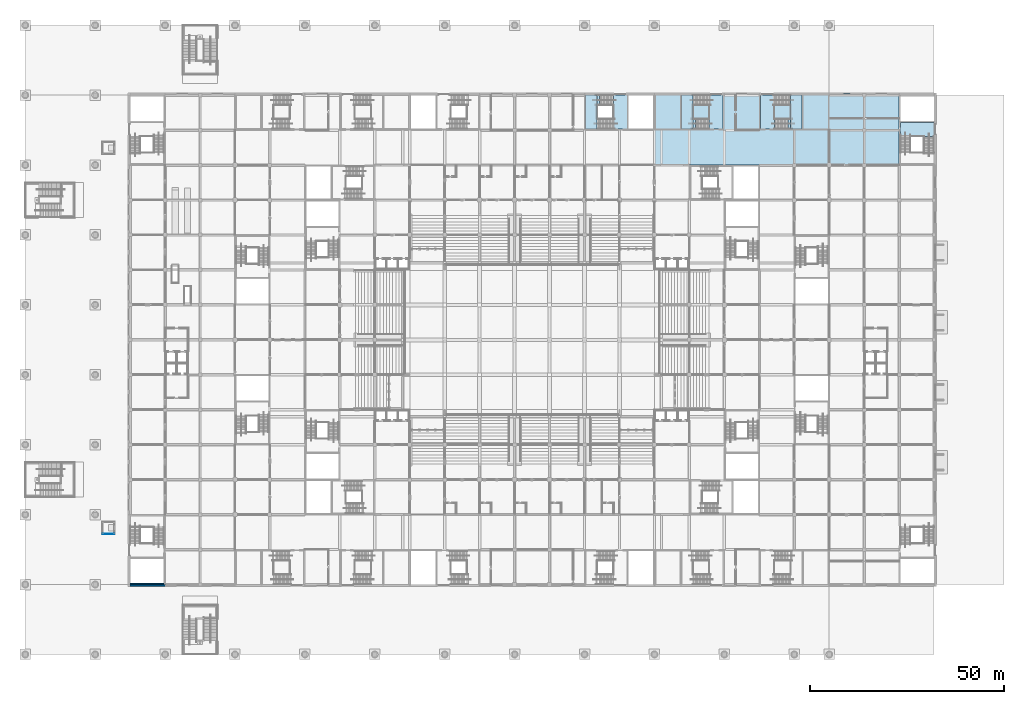
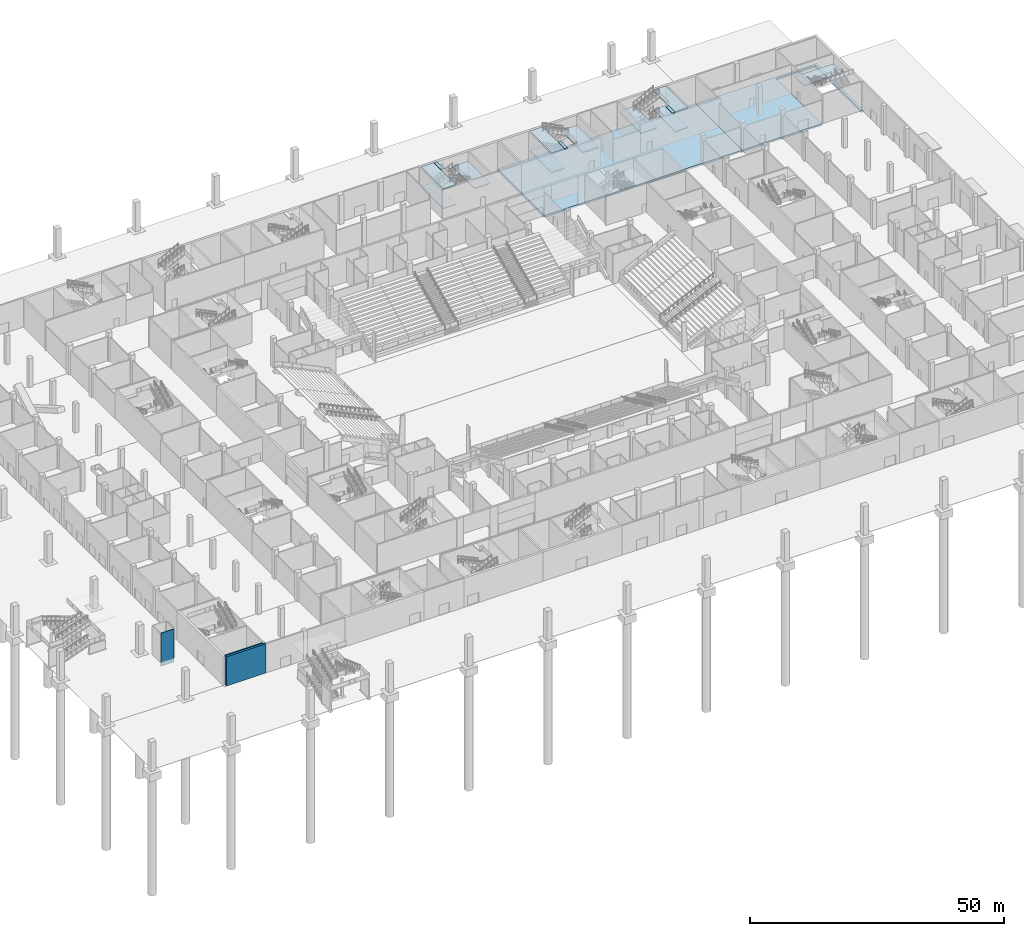
# One storey, part 21 of 92: 15 slabs, 3 walls, 4 elements without a shape of their own.
"""IFC4 building model written with IfcOpenShell, lengths in metres."""

from ifc_helpers import new_model, si_unit, direction, frame, frame_2d, origin, place, context, subcontext, project, spatial, polyline, rectangle, outline, extrude, material, layer, layer_set, type_object, element, aggregate, save


model = new_model("IFC4")

# Units and contexts
model_context = context("Model", 3, precision=1e-05, world=origin(), true_north=direction((0.0, 1.0)))
body_context = subcontext(model_context, "Body", "Model", "MODEL_VIEW")
ifc_project = project(units=[si_unit("LENGTHUNIT", "METRE"), si_unit("AREAUNIT", "SQUARE_METRE"), si_unit("VOLUMEUNIT", "CUBIC_METRE"), si_unit("PLANEANGLEUNIT", "RADIAN"), si_unit("MASSUNIT", "GRAM", prefix="KILO")], contexts=[model_context])

# Site, building, storey
site_placement = place(None, origin())
site = spatial("IfcSite", under=ifc_project, at=site_placement, CompositionType="ELEMENT")
building_placement = place(site_placement, origin())
building = spatial("IfcBuilding", under=site, at=building_placement, Name="Silverbay Arena", CompositionType="ELEMENT")
storey_placement = place(building_placement, origin())
storey = spatial("IfcBuildingStorey", under=building, at=storey_placement, Name="L00", CompositionType="ELEMENT", Elevation=0.0)

# Slabs
ifc_material_1 = material(Name="Concrete Grade C45", Category="concrete")
ifc_layer_1 = layer(ifc_material_1, 0.449951171875)
ifc_layer_set_1 = layer_set([ifc_layer_1], Name="Concrete Grade C45")
slab_type_1 = type_object("IfcSlabType", Name="RC floor slab 450", PredefinedType="FLOOR", material=ifc_layer_set_1)
slab_1_placement = place(storey_placement, frame((0.0, 0.0, -0.449951171875)))
element("IfcSlab", 1, at=slab_1_placement, inside=storey, type_object=slab_type_1, Name="Floor slab L00 unit 24", PredefinedType="FLOOR", context=body_context, shape_type="SweptSolid", body=[
    extrude(outline(polyline([(162.0, 126.02490234375), (162.0, 144.5), (207.0, 144.5), (207.0, 126.02490234375), (162.0, 126.02490234375)])), origin(), (0.0, 0.0, 1.0), 0.449951171875),
])
slab_2_placement = place(storey_placement, frame((0.0, 0.0, -0.449951171875)))
element("IfcSlab", 2, at=slab_2_placement, inside=storey, type_object=slab_type_1, Name="Floor slab L00 unit 25", PredefinedType="FLOOR", context=body_context, shape_type="SweptSolid", body=[
    extrude(outline(polyline([(234.0, 126.02490234375), (234.0, 144.0), (225.0, 144.0), (225.0, 126.02490234375), (207.0, 126.02490234375), (207.0, 144.5), (234.5, 144.5), (234.5, 126.02490234375), (234.0, 126.02490234375)])), origin(), (0.0, 0.0, 1.0), 0.449951171875),
])

# Stair, slab
ifc_material_2 = material(Name="Concrete Grade C45", Category="concrete")
stair_type = type_object("IfcStairType", Name="Stair 2600 wide 48 risers 145.8 x 300", PredefinedType="HALF_TURN_STAIR", material=ifc_material_2)
stair_1_placement = place(storey_placement, origin())
stair_1 = element("IfcStair", 3, at=stair_1_placement, inside=storey, type_object=stair_type, Name="Stair ST-N3 L00 to L01", PredefinedType="HALF_TURN_STAIR")
ifc_material_3 = material(Name="Concrete Grade C45", Category="concrete")
ifc_layer_2 = layer(ifc_material_3, 0.25)
ifc_layer_set_2 = layer_set([ifc_layer_2], Name="Concrete Grade C45")
slab_type_2 = type_object("IfcSlabType", Name="Stair arrival platform RC 250", PredefinedType="FLOOR", material=ifc_layer_set_2)
slab_3_placement = place(storey_placement, frame((0.0, 0.0, 6.75)))
slab_3 = element("IfcSlab", 4, at=slab_3_placement, type_object=slab_type_2, Name="Stair ST-N3 L00 to L01 arrival platform 4", PredefinedType="FLOOR", context=body_context, shape_type="SweptSolid", body=[
    extrude(outline(polyline([(147.89990234375, 141.39990234375), (147.2431640625, 141.39990234375), (147.2431640625, 144.0), (147.89990234375, 144.0), (147.89990234375, 141.39990234375)])), origin(), (0.0, 0.0, 1.0), 0.25),
])

stair_2_placement = place(storey_placement, origin())
stair_2 = element("IfcStair", 5, at=stair_2_placement, inside=storey, type_object=stair_type, Name="Stair ST-N4 L00 to L01", PredefinedType="HALF_TURN_STAIR")
slab_4_placement = place(storey_placement, frame((0.0, 0.0, 6.75)))
slab_4 = element("IfcSlab", 6, at=slab_4_placement, type_object=slab_type_2, Name="Stair ST-N4 L00 to L01 arrival platform 4", PredefinedType="FLOOR", context=body_context, shape_type="SweptSolid", body=[
    extrude(outline(polyline([(172.60009765625, 135.300048828125), (171.943115234375, 135.300048828125), (171.943115234375, 137.89990234375), (172.60009765625, 137.89990234375), (172.60009765625, 135.300048828125)])), origin(), (0.0, 0.0, 1.0), 0.25),
])

stair_3_placement = place(storey_placement, origin())
stair_3 = element("IfcStair", 7, at=stair_3_placement, inside=storey, type_object=stair_type, Name="Stair ST-N6 L00 to L01", PredefinedType="HALF_TURN_STAIR")
slab_5_placement = place(storey_placement, frame((0.0, 0.0, 6.75)))
slab_5 = element("IfcSlab", 8, at=slab_5_placement, type_object=slab_type_2, Name="Stair ST-N6 L00 to L01 arrival platform 4", PredefinedType="FLOOR", context=body_context, shape_type="SweptSolid", body=[
    extrude(outline(polyline([(196.39990234375, 135.300048828125), (197.056884765625, 135.300048828125), (197.056884765625, 137.89990234375), (196.39990234375, 137.89990234375), (196.39990234375, 135.300048828125)])), origin(), (0.0, 0.0, 1.0), 0.25),
])

# Slab
ifc_material_4 = material(Name="Concrete Grade C45", Category="concrete")
ifc_layer_3 = layer(ifc_material_4, 0.25)
ifc_layer_set_3 = layer_set([ifc_layer_3], Name="Concrete Grade C45")
slab_type_3 = type_object("IfcSlabType", Name="Stair landing RC 250", PredefinedType="LANDING", material=ifc_layer_set_3)
slab_6_placement = place(storey_placement, frame((0.0, 0.0, 2.083251953125)))
slab_6 = element("IfcSlab", 9, at=slab_6_placement, type_object=slab_type_3, Name="Stair ST-N3 L00 to L01 landing 1", PredefinedType="LANDING", context=body_context, shape_type="SweptSolid", body=[
    extrude(outline(polyline([(147.2431640625, 135.300048828125), (144.300048828125, 135.300048828125), (144.300048828125, 144.0), (147.2431640625, 144.0), (147.2431640625, 135.300048828125)])), origin(), (0.0, 0.0, 1.0), 0.25),
])

slab_7_placement = place(storey_placement, frame((0.0, 0.0, 4.416748046875)))
slab_7 = element("IfcSlab", 10, at=slab_7_placement, type_object=slab_type_3, Name="Stair ST-N3 L00 to L01 landing 2", PredefinedType="LANDING", context=body_context, shape_type="SweptSolid", body=[
    extrude(outline(polyline([(155.0, 135.300048828125), (151.39990234375, 135.300048828125), (151.39990234375, 144.0), (155.0, 144.0), (155.0, 135.300048828125)])), origin(), (0.0, 0.0, 1.0), 0.25),
])

slab_8_placement = place(storey_placement, frame((0.0, 0.0, 6.75)))
slab_8 = element("IfcSlab", 11, at=slab_8_placement, type_object=slab_type_3, Name="Stair ST-N3 L00 to L01 landing 3", PredefinedType="LANDING", context=body_context, shape_type="SweptSolid", body=[
    extrude(outline(polyline([(147.2431640625, 135.300048828125), (144.300048828125, 135.300048828125), (144.300048828125, 144.0), (147.2431640625, 144.0), (147.2431640625, 135.300048828125)])), origin(), (0.0, 0.0, 1.0), 0.25),
])

aggregate(stair_1, [slab_6, slab_7, slab_8, slab_3])

slab_9_placement = place(storey_placement, frame((0.0, 0.0, 2.083251953125)))
slab_9 = element("IfcSlab", 12, at=slab_9_placement, type_object=slab_type_3, Name="Stair ST-N4 L00 to L01 landing 1", PredefinedType="LANDING", context=body_context, shape_type="SweptSolid", body=[
    extrude(outline(polyline([(171.943115234375, 135.300048828125), (169.0, 135.300048828125), (169.0, 144.0), (171.943115234375, 144.0), (171.943115234375, 135.300048828125)])), origin(), (0.0, 0.0, 1.0), 0.25),
])

slab_10_placement = place(storey_placement, frame((0.0, 0.0, 4.416748046875)))
slab_10 = element("IfcSlab", 13, at=slab_10_placement, type_object=slab_type_3, Name="Stair ST-N4 L00 to L01 landing 2", PredefinedType="LANDING", context=body_context, shape_type="SweptSolid", body=[
    extrude(outline(polyline([(179.699951171875, 135.300048828125), (176.10009765625, 135.300048828125), (176.10009765625, 144.0), (179.699951171875, 144.0), (179.699951171875, 135.300048828125)])), origin(), (0.0, 0.0, 1.0), 0.25),
])

slab_11_placement = place(storey_placement, frame((0.0, 0.0, 6.75)))
slab_11 = element("IfcSlab", 14, at=slab_11_placement, type_object=slab_type_3, Name="Stair ST-N4 L00 to L01 landing 3", PredefinedType="LANDING", context=body_context, shape_type="SweptSolid", body=[
    extrude(outline(polyline([(171.943115234375, 135.300048828125), (169.0, 135.300048828125), (169.0, 144.0), (171.943115234375, 144.0), (171.943115234375, 135.300048828125)])), origin(), (0.0, 0.0, 1.0), 0.25),
])

aggregate(stair_2, [slab_9, slab_10, slab_11, slab_4])

slab_12_placement = place(storey_placement, frame((0.0, 0.0, 2.083251953125)))
slab_12 = element("IfcSlab", 15, at=slab_12_placement, type_object=slab_type_3, Name="Stair ST-N6 L00 to L01 landing 1", PredefinedType="LANDING", context=body_context, shape_type="SweptSolid", body=[
    extrude(outline(polyline([(197.056884765625, 135.300048828125), (200.0, 135.300048828125), (200.0, 144.0), (197.056884765625, 144.0), (197.056884765625, 135.300048828125)])), origin(), (0.0, 0.0, 1.0), 0.25),
])

slab_13_placement = place(storey_placement, frame((0.0, 0.0, 4.416748046875)))
slab_13 = element("IfcSlab", 16, at=slab_13_placement, type_object=slab_type_3, Name="Stair ST-N6 L00 to L01 landing 2", PredefinedType="LANDING", context=body_context, shape_type="SweptSolid", body=[
    extrude(outline(polyline([(189.300048828125, 135.300048828125), (192.89990234375, 135.300048828125), (192.89990234375, 144.0), (189.300048828125, 144.0), (189.300048828125, 135.300048828125)])), origin(), (0.0, 0.0, 1.0), 0.25),
])

slab_14_placement = place(storey_placement, frame((0.0, 0.0, 6.75)))
slab_14 = element("IfcSlab", 17, at=slab_14_placement, type_object=slab_type_3, Name="Stair ST-N6 L00 to L01 landing 3", PredefinedType="LANDING", context=body_context, shape_type="SweptSolid", body=[
    extrude(outline(polyline([(197.056884765625, 135.300048828125), (200.0, 135.300048828125), (200.0, 144.0), (197.056884765625, 144.0), (197.056884765625, 135.300048828125)])), origin(), (0.0, 0.0, 1.0), 0.25),
])

aggregate(stair_3, [slab_12, slab_13, slab_14, slab_5])

# Stair, slab
stair_4_placement = place(storey_placement, origin())
stair_4 = element("IfcStair", 18, at=stair_4_placement, inside=storey, type_object=stair_type, Name="Stair ST-EG2 L00 to L01", PredefinedType="HALF_TURN_STAIR")
slab_15_placement = place(storey_placement, frame((0.0, 0.0, 4.416748046875)))
slab_15 = element("IfcSlab", 19, at=slab_15_placement, type_object=slab_type_3, Name="Stair ST-EG2 L00 to L01 landing 2", PredefinedType="LANDING", context=body_context, shape_type="SweptSolid", body=[
    extrude(outline(polyline([(225.300048828125, 137.0), (225.300048828125, 133.39990234375), (234.0, 133.39990234375), (234.0, 137.0), (225.300048828125, 137.0)])), origin(), (0.0, 0.0, 1.0), 0.25),
])
aggregate(stair_4, [slab_15])

# Walls
ifc_material_5 = material(Name="Concrete Grade C45", Category="concrete")
ifc_layer_4 = layer(ifc_material_5, 0.300048828125)
ifc_layer_set_4 = layer_set([ifc_layer_4], Name="Concrete Grade C45")
wall_type_1 = type_object("IfcWallType", Name="Core wall RC 300 EI 120", PredefinedType="SHEAR", material=ifc_layer_set_4)
wall_1_placement = place(storey_placement, frame((35.699951171875, 18.14990234375, 0.0), z_axis=(0.0, 0.0, 1.0), x_axis=(-1.0, 0.0, 0.0)))
element("IfcWall", 20, at=wall_1_placement, inside=storey, type_object=wall_type_1, Name="Core wall ST-WG1 L00 end 2", PredefinedType="SHEAR", context=body_context, shape_type="SweptSolid", body=[
    extrude(rectangle(XDim=8.699951171875, YDim=0.300048828125, at=frame_2d((4.35009765625, 0.0))), origin(), (0.0, 0.0, 1.0), 7.0),
])
ifc_material_6 = material(Name="Glass and aluminium", Category="aluminium")
ifc_layer_5 = layer(ifc_material_6, 0.1201171875)
ifc_layer_set_5 = layer_set([ifc_layer_5], Name="Glass and aluminium")
wall_type_2 = type_object("IfcWallType", Name="Fire-resisting glazed lift enclosure 120", PredefinedType="PARTITIONING", material=ifc_layer_set_5)
wall_2_placement = place(storey_placement, frame((19.919921875, 31.06005859375, -1.0), z_axis=(0.0, 0.0, 1.0), x_axis=(1.0, 0.0, 0.0)))
element("IfcWall", 21, at=wall_2_placement, inside=storey, type_object=wall_type_2, Name="Glazed lift enclosure LB-D1 L00 south", PredefinedType="PARTITIONING", context=body_context, shape_type="SweptSolid", body=[
    extrude(rectangle(XDim=2.9599609375, YDim=0.1201171875, at=frame_2d((1.47998046875, 0.0))), origin(), (0.0, 0.0, 1.0), 8.0),
])
ifc_material_7 = material(Name="Concrete Grade C45", Category="concrete")
ifc_layer_6 = layer(ifc_material_7, 0.5)
ifc_layer_set_6 = layer_set([ifc_layer_6], Name="Concrete Grade C45")
wall_type_3 = type_object("IfcWallType", Name="Stair core facade wall 500", PredefinedType="SOLIDWALL", material=ifc_layer_set_6)
wall_3_placement = place(storey_placement, frame((27.0, 17.75, 0.0), z_axis=(0.0, 0.0, 1.0), x_axis=(1.0, 0.0, 0.0)))
element("IfcWall", 22, at=wall_3_placement, inside=storey, type_object=wall_type_3, Name="South stair core facade wall L00 bay 1", PredefinedType="SOLIDWALL", context=body_context, shape_type="SweptSolid", body=[
    extrude(rectangle(XDim=9.0, YDim=0.5, at=frame_2d((4.5, 0.0))), origin(), (0.0, 0.0, 1.0), 7.0),
])

save(model, "model.ifc")
